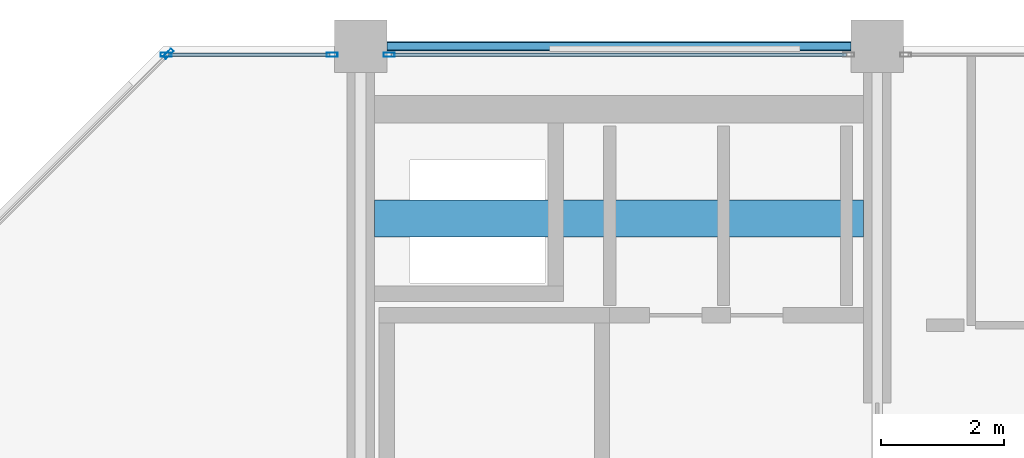
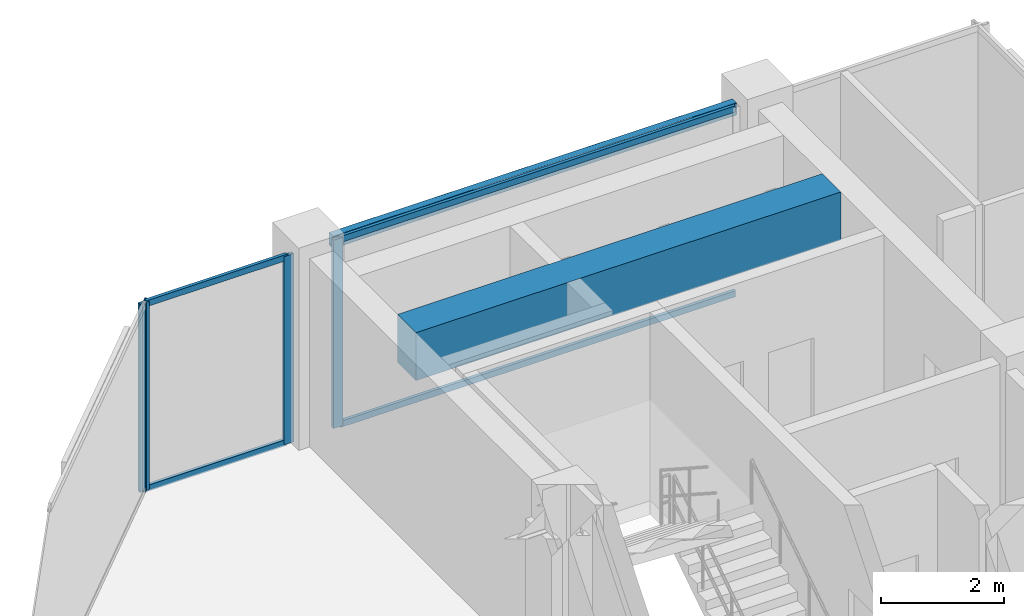
# One storey, part 18 of 26: 8 members, 2 beams, 3 elements without a shape of their own.
"""IFC4 building model written with IfcOpenShell, lengths in metres."""

import ifcopenshell
import ifcopenshell.guid

model = None  # the IFC model being written
_history = None  # IfcOwnerHistory: only IFC2X3 demands one
_inside = {}  # id of a spatial element -> (the spatial element, [elements in it])
_under = {}  # id of a project, library or spatial element -> (it, [spatial elements below it])
_declared = {}  # id of a project -> (the project, [libraries it declares])
_typed = {}  # id of a type object -> (the type object, [elements of that type])
_made_of = {}  # id of a material, layer set ... -> (it, [elements and type objects made of it])


def new_model(schema):
    """Start an empty IFC model of exactly this schema.

    Asked for "IFC4X3", IfcOpenShell would pick the latest addendum, in which some entities
    have other attributes; the version numbers below select the first issue.
    IFC2X3 requires an IfcOwnerHistory on every rooted entity: one is made here for all.
    """
    global model, _history
    if schema == "IFC4X3":
        model = ifcopenshell.file(schema_version=(4, 3, 0, 0))
    else:
        model = ifcopenshell.file(schema=schema)
    _inside.clear()
    _under.clear()
    _declared.clear()
    _typed.clear()
    _made_of.clear()
    _history = None
    if model.schema == "IFC2X3":
        org = make("IfcOrganization", Name="unknown")
        user = make(
            "IfcPersonAndOrganization",
            ThePerson=make("IfcPerson", FamilyName="unknown"),
            TheOrganization=org,
        )
        app = make(
            "IfcApplication",
            ApplicationDeveloper=org,
            Version="unknown",
            ApplicationFullName="unknown",
            ApplicationIdentifier="unknown",
        )
        _history = make(
            "IfcOwnerHistory",
            OwningUser=user,
            OwningApplication=app,
            ChangeAction="ADDED",
            CreationDate=0,
        )
    return model


def make(cls, **values):
    """One entity of the class cls with the attributes given. An attribute that is None is left unset."""
    return model.create_entity(
        cls, **{name: value for name, value in values.items() if value is not None}
    )


def rooted(cls, **values):
    """An entity with a GlobalId (a new one), such as an element, a storey or a relation."""
    return make(cls, GlobalId=ifcopenshell.guid.new(), OwnerHistory=_history, **values)


def si_unit(unit_type, name, prefix=None):
    """IfcSIUnit, for example si_unit("LENGTHUNIT", "METRE", prefix="MILLI")."""
    return make("IfcSIUnit", UnitType=unit_type, Prefix=prefix, Name=name)


def assignment(units):
    """IfcUnitAssignment: the units of a project."""
    return None if units is None else make("IfcUnitAssignment", Units=units)


def point(xyz):
    """IfcCartesianPoint."""
    return None if xyz is None else make("IfcCartesianPoint", Coordinates=xyz)


def direction(xyz):
    """IfcDirection."""
    return None if xyz is None else make("IfcDirection", DirectionRatios=xyz)


def frame(location, z_axis=None, x_axis=None):
    """IfcAxis2Placement3D, a coordinate frame: its origin and axes. An axis left out is left unset."""
    return make(
        "IfcAxis2Placement3D",
        Location=point(location),
        Axis=direction(z_axis),
        RefDirection=direction(x_axis),
    )


def frame_2d(location, x_axis=None):
    """IfcAxis2Placement2D, a coordinate frame in the plane: its origin and x axis."""
    return make(
        "IfcAxis2Placement2D", Location=point(location), RefDirection=direction(x_axis)
    )


def origin():
    """The frame at (0, 0, 0) with its axes left unset."""
    return frame((0.0, 0.0, 0.0))


def origin_2d():
    """The frame at (0, 0) in the plane with its x axis left unset."""
    return frame_2d((0.0, 0.0))


def place(relative_to, where):
    """IfcLocalPlacement: puts the frame where relative to a parent placement (None: the world)."""
    return make(
        "IfcLocalPlacement", PlacementRelTo=relative_to, RelativePlacement=where
    )


def context(
    kind, dimensions, precision=None, world=None, true_north=None, identifier=None
):
    """IfcGeometricRepresentationContext, for example the 3D "Model" context."""
    return make(
        "IfcGeometricRepresentationContext",
        ContextIdentifier=identifier,
        ContextType=kind,
        CoordinateSpaceDimension=dimensions,
        Precision=precision,
        WorldCoordinateSystem=world,
        TrueNorth=true_north,
    )


def subcontext(parent, identifier, kind, view, scale=None):
    """IfcGeometricRepresentationSubContext, for example "Body" below "Model"."""
    return make(
        "IfcGeometricRepresentationSubContext",
        ContextIdentifier=identifier,
        ContextType=kind,
        ParentContext=parent,
        TargetScale=scale,
        TargetView=view,
    )


def project(units=None, contexts=None):
    """IfcProject with its units and contexts."""
    return rooted(
        "IfcProject",
        Name="project",
        RepresentationContexts=contexts,
        UnitsInContext=assignment(units),
    )


def spatial(cls, under=None, at=None, **own):
    """A site, building, storey or space (cls), placed at a placement, below another one or the project."""
    s = rooted(cls, ObjectPlacement=at, **own)
    if under is not None:
        _under.setdefault(under.id(), (under, []))[1].append(s)
    return s


def profile(cls, at=None, kind="AREA", **sizes):
    """A parametric profile (cls). Its sizes go by their IFC names, for example OverallWidth=200.0."""
    return make(cls, ProfileType=kind, Position=at, **sizes)


def rectangle(**sizes):
    """IfcRectangleProfileDef."""
    return profile("IfcRectangleProfileDef", **sizes)


def hollow_rectangle(**sizes):
    """IfcRectangleHollowProfileDef."""
    return profile("IfcRectangleHollowProfileDef", **sizes)


def extrude(swept, where, along, depth):
    """IfcExtrudedAreaSolid: the profile swept, set in the frame where, extruded along a direction by depth."""
    return make(
        "IfcExtrudedAreaSolid",
        SweptArea=swept,
        Position=where,
        ExtrudedDirection=direction(along),
        Depth=depth,
    )


def shape(context_of_items, identifier, shape_type, items):
    """IfcShapeRepresentation: the items that make up one representation, for example the "Body"."""
    return make(
        "IfcShapeRepresentation",
        ContextOfItems=context_of_items,
        RepresentationIdentifier=identifier,
        RepresentationType=shape_type,
        Items=items,
    )


def material(Name=None, Category=None):
    """IfcMaterial."""
    return make("IfcMaterial", Name=Name, Category=Category)


def layer(
    of_material, thickness, ventilated=None, Name=None, Category=None, Priority=None
):
    """IfcMaterialLayer: one layer of a wall or slab, of a material (None: an air gap)."""
    return make(
        "IfcMaterialLayer",
        Material=of_material,
        LayerThickness=thickness,
        IsVentilated=ventilated,
        Name=Name,
        Category=Category,
        Priority=Priority,
    )


def layer_set(layers, Name=None):
    """IfcMaterialLayerSet."""
    return make("IfcMaterialLayerSet", MaterialLayers=layers, LayerSetName=Name)


def material_profile(
    of_material, cross_section, Name=None, Category=None, Priority=None
):
    """IfcMaterialProfile: a cross section and its material."""
    return make(
        "IfcMaterialProfile",
        Name=Name,
        Material=of_material,
        Profile=cross_section,
        Priority=Priority,
        Category=Category,
    )


def profile_set(profiles, Name=None, composite=None):
    """IfcMaterialProfileSet."""
    return make(
        "IfcMaterialProfileSet",
        Name=Name,
        MaterialProfiles=profiles,
        CompositeProfile=composite,
    )


def made_of(thing, what):
    """Note that an element or type object is made of a material, layer set ...; save() writes the relation."""
    if what is not None:
        _made_of.setdefault(what.id(), (what, []))[1].append(thing)
    return thing


def type_object(cls, material=None, **own):
    """A type object (cls), such as IfcWallType, which elements share."""
    return made_of(rooted(cls, **own), material)


def element(
    cls,
    number,
    at=None,
    inside=None,
    cuts=None,
    type_object=None,
    material=None,
    context=None,
    identifier="Body",
    shape_type=None,
    held_by="IfcProductDefinitionShape",
    body=None,
    shapes=None,
    **own,
):
    """One element of the class cls, such as IfcWall. Its Tag is "e" and its number.

    at: its placement. inside: the storey or other place that contains it. cuts: it is an
    opening in that element (IfcRelVoidsElement). A single representation is given by context,
    identifier, shape_type and body (its items); several are given by shapes. held_by: the class
    of the entity that holds the representations. save() writes the other relations.
    """
    e = rooted(cls, Tag="e%d" % number, ObjectPlacement=at, **own)
    if body is not None:
        shapes = [shape(context, identifier, shape_type, body)]
    if shapes is not None:
        e.Representation = make(held_by, Representations=shapes)
    if inside is not None:
        _inside.setdefault(inside.id(), (inside, []))[1].append(e)
    if cuts is not None:
        rooted(
            "IfcRelVoidsElement", RelatingBuildingElement=cuts, RelatedOpeningElement=e
        )
    if type_object is not None:
        _typed.setdefault(type_object.id(), (type_object, []))[1].append(e)
    return made_of(e, material)


def aggregate(whole, parts):
    """IfcRelAggregates: a whole, such as a stair, and the parts it consists of."""
    return rooted("IfcRelAggregates", RelatingObject=whole, RelatedObjects=parts)


def save(model, path):
    """Write the relations noted so far, then the file.

    IfcRelAggregates (storeys below a building ...), IfcRelContainedInSpatialStructure (elements
    in a storey), IfcRelDefinesByType, IfcRelAssociatesMaterial and IfcRelDeclares: one each for
    every whole, place, type object, material and project.
    """
    for whole, parts in _under.values():
        aggregate(whole, parts)
    for where, things in _inside.values():
        rooted(
            "IfcRelContainedInSpatialStructure",
            RelatedElements=things,
            RelatingStructure=where,
        )
    for kind, things in _typed.values():
        rooted("IfcRelDefinesByType", RelatedObjects=things, RelatingType=kind)
    for what, things in _made_of.values():
        rooted("IfcRelAssociatesMaterial", RelatedObjects=things, RelatingMaterial=what)
    for by, libraries in _declared.values():
        rooted("IfcRelDeclares", RelatingContext=by, RelatedDefinitions=libraries)
    model.write(path)


model = new_model("IFC4")

# Units and contexts
model_context = context("Model", 3, precision=1e-05, world=origin(), true_north=direction((0.0, 1.0)))
body_context = subcontext(model_context, "Body", "Model", "MODEL_VIEW")
ifc_project = project(units=[si_unit("LENGTHUNIT", "METRE"), si_unit("AREAUNIT", "SQUARE_METRE"), si_unit("VOLUMEUNIT", "CUBIC_METRE"), si_unit("PLANEANGLEUNIT", "RADIAN"), si_unit("MASSUNIT", "GRAM", prefix="KILO")], contexts=[model_context])

# Site, building, storey
site_placement = place(None, origin())
site = spatial("IfcSite", under=ifc_project, at=site_placement, CompositionType="ELEMENT")
building_placement = place(site_placement, origin())
building = spatial("IfcBuilding", under=site, at=building_placement, Name="Nerrivon Quay Data Exchange", CompositionType="ELEMENT")
storey_placement = place(building_placement, frame((0.0, 0.0, 250.199951171875)))
storey = spatial("IfcBuildingStorey", under=building, at=storey_placement, Name="L59", CompositionType="ELEMENT", Elevation=250.199951171875)

# Beams
ifc_material_1 = material(Name="Concrete N50 (50 MPa)", Category="concrete")
ifc_material_profile_1 = material_profile(ifc_material_1, rectangle(XDim=0.60009765625, YDim=0.949951171875, at=origin_2d()), Name="RC-CB-600x950")
ifc_profile_set_1 = profile_set([ifc_material_profile_1], Name="Concrete N50 (50 MPa)")
beam_type_1 = type_object("IfcBeamType", Name="BM-CB2-600x950", PredefinedType="LINTEL", material=ifc_profile_set_1)
beam_1_placement = place(storey_placement, frame((8.625, 39.199951171875, 3.25), z_axis=(1.0, 0.0, 0.0), x_axis=(0.0, 1.0, 0.0)))
element("IfcBeam", 1, at=beam_1_placement, inside=storey, type_object=beam_type_1, Name="L59 West Core Coupling Beam", PredefinedType="LINTEL", context=body_context, shape_type="SweptSolid", body=[
    extrude(rectangle(XDim=0.60009765625, YDim=0.949951171875, at=origin_2d()), origin(), (0.0, 0.0, 1.0), 7.949951171875),
])
ifc_material_2 = material(Name="Steel Grade C350L0 (350 MPa)", Category="steel")
ifc_material_profile_2 = material_profile(ifc_material_2, hollow_rectangle(XDim=0.14990234375, YDim=0.25, WallThickness=0.009033203125, InnerFilletRadius=0.013427734375, OuterFilletRadius=0.0224609375, at=origin_2d()), Name="250x150x9.0RHS")
ifc_profile_set_2 = profile_set([ifc_material_profile_2], Name="Steel Grade C350L0 (350 MPa)")
beam_type_2 = type_object("IfcBeamType", Name="BM-SP4-250x150RHS", PredefinedType="SPANDREL", material=ifc_profile_set_2)
beam_2_placement = place(storey_placement, frame((8.824951171875, 42.0, 3.60009765625), z_axis=(1.0, 0.0, 0.0), x_axis=(0.0, 1.0, 0.0)))
element("IfcBeam", 2, at=beam_2_placement, inside=storey, type_object=beam_type_2, Name="L59 EW Girder Y=42.0 (8.4..16.8)", PredefinedType="SPANDREL", context=body_context, shape_type="SweptSolid", body=[
    extrude(hollow_rectangle(XDim=0.14990234375, YDim=0.25, WallThickness=0.009033203125, InnerFilletRadius=0.013427734375, OuterFilletRadius=0.0224609375, at=origin_2d()), origin(), (0.0, 0.0, 1.0), 7.550048828125),
])

# Curtain wall, member
ifc_material_3 = material(Name="Anodised aluminium 6063-T6", Category="aluminium")
ifc_layer = layer(ifc_material_3, 0.195068359375)
ifc_layer_set = layer_set([ifc_layer], Name="Anodised aluminium 6063-T6")
curtain_wall_type = type_object("IfcCurtainWallType", Name="CW-SYS-06", PredefinedType="NOTDEFINED", material=ifc_layer_set)
curtain_wall_1_placement = place(storey_placement, origin())
curtain_wall_1 = element("IfcCurtainWall", 3, at=curtain_wall_1_placement, inside=storey, type_object=curtain_wall_type, Name="L59 Unitised Curtain Wall 16", PredefinedType="NOTDEFINED")
ifc_material_profile_3 = material_profile(ifc_material_3, hollow_rectangle(XDim=0.06494140625, YDim=0.179931640625, WallThickness=0.00341796875, at=origin_2d()), Name="ALU-MULL-180x65")
ifc_profile_set_3 = profile_set([ifc_material_profile_3], Name="Anodised aluminium 6063-T6")
member_type_1 = type_object("IfcMemberType", Name="CWM-180x65", PredefinedType="MULLION", material=ifc_profile_set_3)
member_1_placement = place(storey_placement, frame((5.2724609375, 41.87451171875, 0.0), z_axis=(0.0, 0.0, 1.0), x_axis=(-0.707106781187, 0.707106781187, 0.0)))
member_1 = element("IfcMember", 4, at=member_1_placement, type_object=member_type_1, Name="CW06 mullion 2", PredefinedType="MULLION", context=body_context, shape_type="SweptSolid", body=[
    extrude(hollow_rectangle(XDim=0.06494140625, YDim=0.179931640625, WallThickness=0.00341796875, at=origin_2d()), origin(), (0.0, 0.0, 1.0), 3.72509765625),
])
aggregate(curtain_wall_1, [member_1])

# Curtain wall, members
curtain_wall_2_placement = place(storey_placement, origin())
curtain_wall_2 = element("IfcCurtainWall", 5, at=curtain_wall_2_placement, inside=storey, type_object=curtain_wall_type, Name="L59 Unitised Curtain Wall 17", PredefinedType="NOTDEFINED")
member_2_placement = place(storey_placement, frame((5.237548828125, 41.860107421875, 0.0), z_axis=(0.0, 0.0, 1.0), x_axis=(0.0, 1.0, 0.0)))
member_2 = element("IfcMember", 6, at=member_2_placement, type_object=member_type_1, Name="CW06 mullion 1", PredefinedType="MULLION", context=body_context, shape_type="SweptSolid", body=[
    extrude(hollow_rectangle(XDim=0.06494140625, YDim=0.179931640625, WallThickness=0.00341796875, at=origin_2d()), origin(), (0.0, 0.0, 1.0), 3.72509765625),
])
member_3_placement = place(storey_placement, frame((7.9375, 41.860107421875, 0.0), z_axis=(0.0, 0.0, 1.0), x_axis=(0.0, 1.0, 0.0)))
member_3 = element("IfcMember", 7, at=member_3_placement, type_object=member_type_1, Name="CW06 mullion 2", PredefinedType="MULLION", context=body_context, shape_type="SweptSolid", body=[
    extrude(hollow_rectangle(XDim=0.06494140625, YDim=0.179931640625, WallThickness=0.00341796875, at=origin_2d()), origin(), (0.0, 0.0, 1.0), 3.72509765625),
])

# Curtain wall, member
curtain_wall_3_placement = place(storey_placement, origin())
curtain_wall_3 = element("IfcCurtainWall", 8, at=curtain_wall_3_placement, inside=storey, type_object=curtain_wall_type, Name="L59 Unitised Curtain Wall 18", PredefinedType="NOTDEFINED")
member_4_placement = place(storey_placement, frame((8.862548828125, 41.860107421875, 0.0), z_axis=(0.0, 0.0, 1.0), x_axis=(0.0, 1.0, 0.0)))
member_4 = element("IfcMember", 9, at=member_4_placement, type_object=member_type_1, Name="CW06 mullion 1", PredefinedType="MULLION", context=body_context, shape_type="SweptSolid", body=[
    extrude(hollow_rectangle(XDim=0.06494140625, YDim=0.179931640625, WallThickness=0.00341796875, at=origin_2d()), origin(), (0.0, 0.0, 1.0), 3.72509765625),
])

# Member
ifc_material_profile_4 = material_profile(ifc_material_3, hollow_rectangle(XDim=0.06005859375, YDim=0.1201171875, WallThickness=0.003173828125, at=origin_2d()), Name="ALU-TRAN-120x60")
ifc_profile_set_4 = profile_set([ifc_material_profile_4], Name="Anodised aluminium 6063-T6")
member_type_2 = type_object("IfcMemberType", Name="CWT-120x60", PredefinedType="USERDEFINED", material=ifc_profile_set_4)
member_5_placement = place(storey_placement, frame((5.27490234375, 41.860107421875, 0.032470703125), z_axis=(1.0, 0.0, 0.0), x_axis=(0.0, 1.0, 0.0)))
member_5 = element("IfcMember", 10, at=member_5_placement, type_object=member_type_2, Name="CW06 transom 1.1", ObjectType="TRANSOM", PredefinedType="USERDEFINED", context=body_context, shape_type="SweptSolid", body=[
    extrude(hollow_rectangle(XDim=0.06005859375, YDim=0.1201171875, WallThickness=0.003173828125, at=origin_2d()), origin(), (0.0, 0.0, 1.0), 2.625),
])

member_6_placement = place(storey_placement, frame((5.27490234375, 41.860107421875, 3.692626953125), z_axis=(1.0, 0.0, 0.0), x_axis=(0.0, 1.0, 0.0)))
member_6 = element("IfcMember", 11, at=member_6_placement, type_object=member_type_2, Name="CW06 transom 1.2", ObjectType="TRANSOM", PredefinedType="USERDEFINED", context=body_context, shape_type="SweptSolid", body=[
    extrude(hollow_rectangle(XDim=0.06005859375, YDim=0.1201171875, WallThickness=0.003173828125, at=origin_2d()), origin(), (0.0, 0.0, 1.0), 2.625),
])

aggregate(curtain_wall_2, [member_2, member_3, member_5, member_6])

member_7_placement = place(storey_placement, frame((8.89990234375, 41.860107421875, 0.032470703125), z_axis=(1.0, 0.0, 0.0), x_axis=(0.0, 1.0, 0.0)))
member_7 = element("IfcMember", 12, at=member_7_placement, type_object=member_type_2, Name="CW06 transom 1.1", ObjectType="TRANSOM", PredefinedType="USERDEFINED", context=body_context, shape_type="SweptSolid", body=[
    extrude(hollow_rectangle(XDim=0.06005859375, YDim=0.1201171875, WallThickness=0.003173828125, at=origin_2d()), origin(), (0.0, 0.0, 1.0), 7.400146484375),
])

member_8_placement = place(storey_placement, frame((8.89990234375, 41.860107421875, 3.692626953125), z_axis=(1.0, 0.0, 0.0), x_axis=(0.0, 1.0, 0.0)))
member_8 = element("IfcMember", 13, at=member_8_placement, type_object=member_type_2, Name="CW06 transom 1.2", ObjectType="TRANSOM", PredefinedType="USERDEFINED", context=body_context, shape_type="SweptSolid", body=[
    extrude(hollow_rectangle(XDim=0.06005859375, YDim=0.1201171875, WallThickness=0.003173828125, at=origin_2d()), origin(), (0.0, 0.0, 1.0), 7.400146484375),
])

aggregate(curtain_wall_3, [member_4, member_7, member_8])

save(model, "model.ifc")
